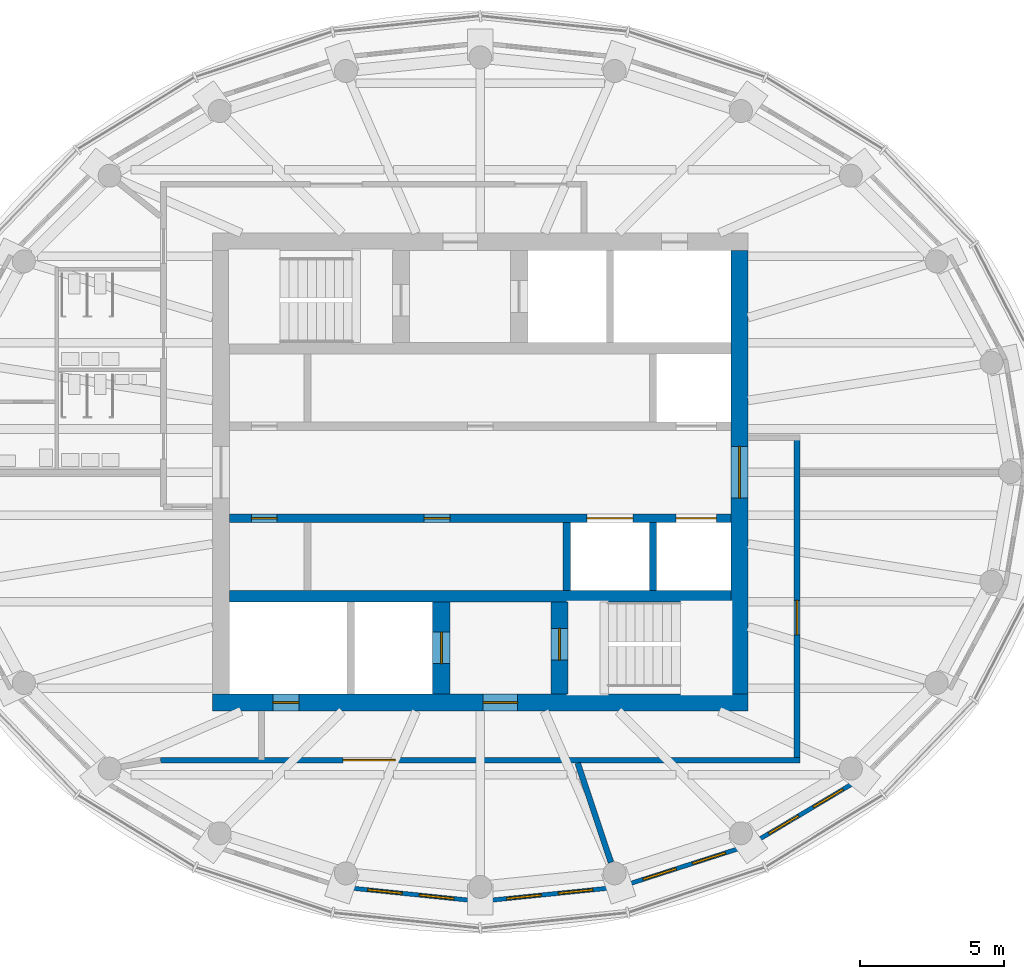
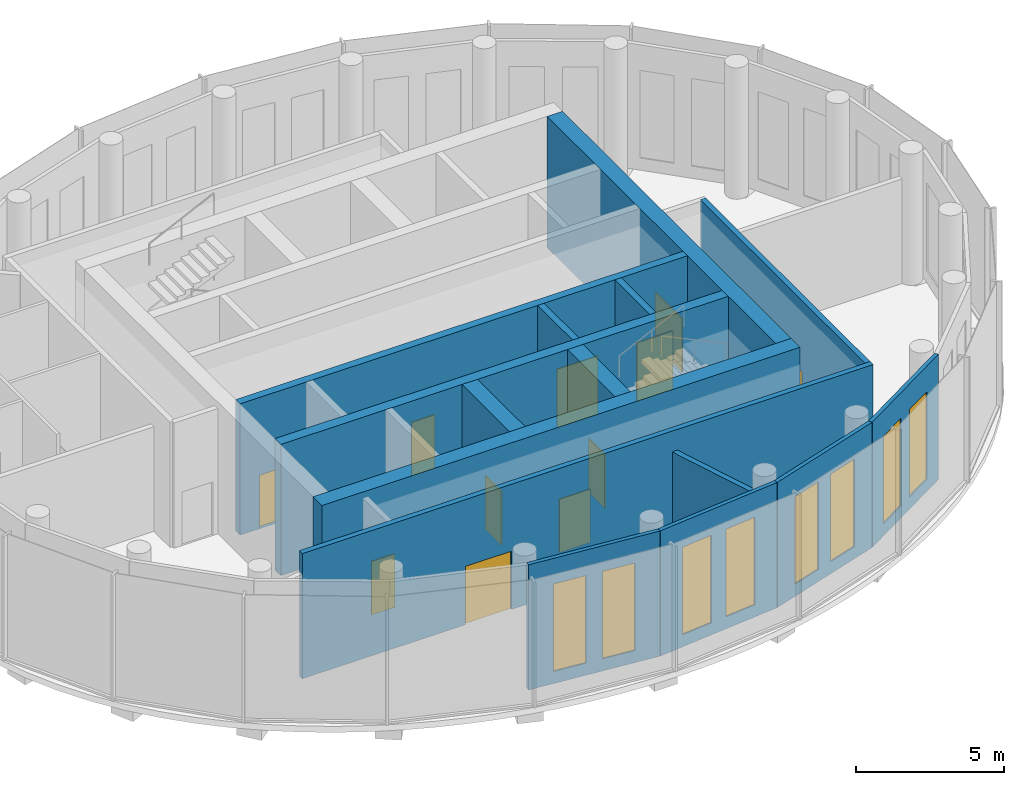
# One storey, part 5 of 11: 15 walls, 11 doors, 8 windows, 19 openings.
"""IFC4 building model written with IfcOpenShell, lengths in metres."""

from ifc_helpers import new_model, si_unit, direction, frame, frame_2d, origin, place, context, subcontext, project, spatial, rectangle, extrude, material, layer, layer_set, type_object, element, fill, save


model = new_model("IFC4")

# Units and contexts
model_context = context("Model", 3, precision=1e-05, world=origin(), true_north=direction((0.0, 1.0)))
body_context = subcontext(model_context, "Body", "Model", "MODEL_VIEW")
ifc_project = project(units=[si_unit("LENGTHUNIT", "METRE"), si_unit("AREAUNIT", "SQUARE_METRE"), si_unit("VOLUMEUNIT", "CUBIC_METRE"), si_unit("PLANEANGLEUNIT", "RADIAN"), si_unit("MASSUNIT", "GRAM", prefix="KILO")], contexts=[model_context])

# Site, building, storey
site_placement = place(None, origin())
site = spatial("IfcSite", under=ifc_project, at=site_placement, CompositionType="ELEMENT")
building_placement = place(site_placement, origin())
building = spatial("IfcBuilding", under=site, at=building_placement, Name="Hankou Lantern Tower", CompositionType="ELEMENT")
storey_placement = place(building_placement, frame((0.0, 0.0, 237.300048828125)))
storey = spatial("IfcBuildingStorey", under=building, at=storey_placement, Name="L64", CompositionType="ELEMENT", Elevation=237.300048828125)

# Wall, openings, doors
ifc_material_1 = material(Name="Concrete C60", Category="concrete")
ifc_layer_1 = layer(ifc_material_1, 0.60009765625)
ifc_layer_set_1 = layer_set([ifc_layer_1], Name="Concrete C60")
wall_type_1 = type_object("IfcWallType", Name="CW3 CORE WALL 600", PredefinedType="SHEAR", material=ifc_layer_set_1)
wall_1_placement = place(storey_placement, frame((9.300048828125, -8.0, 0.0), z_axis=(0.0, 0.0, 1.0), x_axis=(-1.0, 0.0, 0.0)))
wall_1 = element("IfcWall", 1, at=wall_1_placement, inside=storey, type_object=wall_type_1, Name="Core wall south L64", PredefinedType="SHEAR", context=body_context, shape_type="SweptSolid", body=[
    extrude(rectangle(XDim=18.60009765625, YDim=0.60009765625, at=frame_2d((9.300048828125, 0.0))), origin(), (0.0, 0.0, 1.0), 5.39990234375),
])
opening_1_placement = place(wall_1_placement, frame((8.0, 0.0, 0.0)))
opening_1 = element("IfcOpeningElement", 2, at=opening_1_placement, cuts=wall_1, Name="Opening D5", PredefinedType="OPENING", context=body_context, shape_type="SweptSolid", body=[
    extrude(rectangle(XDim=1.199951171875, YDim=2.199951171875, at=frame_2d((0.60009765625, 1.10009765625))), frame((0.0, 0.31005859375, 0.0), z_axis=(0.0, -1.0, 0.0), x_axis=(1.0, 0.0, 0.0)), (0.0, 0.0, 1.0), 0.6201171875),
])
opening_2_placement = place(wall_1_placement, frame((15.60009765625, 0.0, 0.0)))
opening_2 = element("IfcOpeningElement", 3, at=opening_2_placement, cuts=wall_1, Name="Opening D7", PredefinedType="OPENING", context=body_context, shape_type="SweptSolid", body=[
    extrude(rectangle(XDim=0.89990234375, YDim=2.199951171875, at=frame_2d((0.449951171875, 1.10009765625))), frame((0.0, 0.31005859375, 0.0), z_axis=(0.0, -1.0, 0.0), x_axis=(1.0, 0.0, 0.0)), (0.0, 0.0, 1.0), 0.6201171875),
])
ifc_material_2 = material(Name="Steel door leaf", Category="steel")
door_type_1 = type_object("IfcDoorType", Name="D5 STAIR LOBBY DOOR 1200X2200", OperationType="SINGLE_SWING_LEFT", PredefinedType="DOOR", material=ifc_material_2)
door_1_placement = place(opening_1_placement, origin())
door_1 = element("IfcDoor", 4, at=door_1_placement, inside=storey, type_object=door_type_1, Name="Stair B lobby door", OperationType="SINGLE_SWING_RIGHT", OverallHeight=2.199951171875, OverallWidth=1.199951171875, PredefinedType="DOOR", context=body_context, shape_type="SweptSolid", body=[
    extrude(rectangle(XDim=1.199951171875, YDim=2.199951171875, at=frame_2d((0.60009765625, 1.10009765625))), frame((0.0, 0.02490234375, 0.0), z_axis=(0.0, -1.0, 0.0), x_axis=(1.0, 0.0, 0.0)), (0.0, 0.0, 1.0), 0.050048828125),
])
fill(opening_1, door_1)
ifc_material_3 = material(Name="Steel door leaf", Category="steel")
door_type_2 = type_object("IfcDoorType", Name="D7 RISER DOOR 900X2200", OperationType="SINGLE_SWING_LEFT", PredefinedType="DOOR", material=ifc_material_3)
door_2_placement = place(opening_2_placement, origin())
door_2 = element("IfcDoor", 5, at=door_2_placement, inside=storey, type_object=door_type_2, Name="Riser S1 door", OperationType="SINGLE_SWING_RIGHT", OverallHeight=2.199951171875, OverallWidth=0.89990234375, PredefinedType="DOOR", context=body_context, shape_type="SweptSolid", body=[
    extrude(rectangle(XDim=0.89990234375, YDim=2.199951171875, at=frame_2d((0.449951171875, 1.10009765625))), frame((0.0, 0.02490234375, 0.0), z_axis=(0.0, -1.0, 0.0), x_axis=(1.0, 0.0, 0.0)), (0.0, 0.0, 1.0), 0.050048828125),
])
fill(opening_2, door_2)

# Wall, opening, door
wall_2_placement = place(storey_placement, frame((9.0, -7.699951171875, 0.0), z_axis=(0.0, 0.0, 1.0), x_axis=(0.0, 1.0, 0.0)))
wall_2 = element("IfcWall", 6, at=wall_2_placement, inside=storey, type_object=wall_type_1, Name="Core wall east L64", PredefinedType="SHEAR", context=body_context, shape_type="SweptSolid", body=[
    extrude(rectangle(XDim=15.39990234375, YDim=0.60009765625, at=frame_2d((7.699951171875, 0.0))), origin(), (0.0, 0.0, 1.0), 5.39990234375),
])
opening_3_placement = place(wall_2_placement, frame((6.800048828125, 0.0, 0.0)))
opening_3 = element("IfcOpeningElement", 7, at=opening_3_placement, cuts=wall_2, Name="Opening D6", PredefinedType="OPENING", context=body_context, shape_type="SweptSolid", body=[
    extrude(rectangle(XDim=1.800048828125, YDim=2.199951171875, at=frame_2d((0.89990234375, 1.10009765625))), frame((0.0, 0.31005859375, 0.0), z_axis=(0.0, -1.0, 0.0), x_axis=(1.0, 0.0, 0.0)), (0.0, 0.0, 1.0), 0.6201171875),
])
ifc_material_4 = material(Name="Steel door leaf", Category="steel")
door_type_3 = type_object("IfcDoorType", Name="D6 LIFT LOBBY DOOR 1800X2200", OperationType="DOUBLE_DOOR_DOUBLE_SWING", PredefinedType="DOOR", material=ifc_material_4)
door_3_placement = place(opening_3_placement, origin())
door_3 = element("IfcDoor", 8, at=door_3_placement, inside=storey, type_object=door_type_3, Name="Lift lobby east door", OperationType="DOUBLE_DOOR_DOUBLE_SWING", OverallHeight=2.199951171875, OverallWidth=1.800048828125, PredefinedType="DOOR", context=body_context, shape_type="SweptSolid", body=[
    extrude(rectangle(XDim=1.800048828125, YDim=2.199951171875, at=frame_2d((0.89990234375, 1.10009765625))), frame((0.0, 0.02490234375, 0.0), z_axis=(0.0, -1.0, 0.0), x_axis=(1.0, 0.0, 0.0)), (0.0, 0.0, 1.0), 0.050048828125),
])
fill(opening_3, door_3)

# Wall
ifc_material_5 = material(Name="Concrete C60", Category="concrete")
ifc_layer_2 = layer(ifc_material_5, 0.39990234375)
ifc_layer_set_2 = layer_set([ifc_layer_2], Name="Concrete C60")
wall_type_2 = type_object("IfcWallType", Name="CW4 CORE CROSS WALL 400", PredefinedType="SHEAR", material=ifc_layer_set_2)
wall_3_placement = place(storey_placement, frame((-8.699951171875, -4.300048828125, 0.0), z_axis=(0.0, 0.0, 1.0), x_axis=(1.0, 0.0, 0.0)))
element("IfcWall", 9, at=wall_3_placement, inside=storey, type_object=wall_type_2, Name="Core band wall south L64", PredefinedType="SHEAR", context=body_context, shape_type="SweptSolid", body=[
    extrude(rectangle(XDim=17.39990234375, YDim=0.39990234375, at=frame_2d((8.699951171875, 0.0))), origin(), (0.0, 0.0, 1.0), 5.39990234375),
])

# Wall, openings, doors
ifc_material_6 = material(Name="Concrete C60", Category="concrete")
ifc_layer_3 = layer(ifc_material_6, 0.300048828125)
ifc_layer_set_3 = layer_set([ifc_layer_3], Name="Concrete C60")
wall_type_3 = type_object("IfcWallType", Name="CW5 LIFT LOBBY WALL 300", PredefinedType="SHEAR", material=ifc_layer_set_3)
wall_4_placement = place(storey_placement, frame((-8.699951171875, -1.60009765625, 0.0), z_axis=(0.0, 0.0, 1.0), x_axis=(1.0, 0.0, 0.0)))
wall_4 = element("IfcWall", 10, at=wall_4_placement, inside=storey, type_object=wall_type_3, Name="Lift lobby wall south L64", PredefinedType="SHEAR", context=body_context, shape_type="SweptSolid", body=[
    extrude(rectangle(XDim=17.39990234375, YDim=0.300048828125, at=frame_2d((8.699951171875, 0.0))), origin(), (0.0, 0.0, 1.0), 5.39990234375),
])
opening_4_placement = place(wall_4_placement, frame((12.39990234375, 0.0, 0.0)))
opening_4 = element("IfcOpeningElement", 11, at=opening_4_placement, cuts=wall_4, Name="Opening LD4", PredefinedType="OPENING", context=body_context, shape_type="SweptSolid", body=[
    extrude(rectangle(XDim=1.60009765625, YDim=2.39990234375, at=frame_2d((0.800048828125, 1.199951171875))), frame((0.0, 0.159912109375, 0.0), z_axis=(0.0, -1.0, 0.0), x_axis=(1.0, 0.0, 0.0)), (0.0, 0.0, 1.0), 0.320068359375),
])
opening_5_placement = place(wall_4_placement, frame((15.5, 0.0, 0.0)))
opening_5 = element("IfcOpeningElement", 12, at=opening_5_placement, cuts=wall_4, Name="Opening LD3", PredefinedType="OPENING", context=body_context, shape_type="SweptSolid", body=[
    extrude(rectangle(XDim=1.39990234375, YDim=2.39990234375, at=frame_2d((0.699951171875, 1.199951171875))), frame((0.0, 0.159912109375, 0.0), z_axis=(0.0, -1.0, 0.0), x_axis=(1.0, 0.0, 0.0)), (0.0, 0.0, 1.0), 0.320068359375),
])
opening_6_placement = place(wall_4_placement, frame((0.75, 0.0, 0.0)))
opening_6 = element("IfcOpeningElement", 13, at=opening_6_placement, cuts=wall_4, Name="Opening D30", PredefinedType="OPENING", context=body_context, shape_type="SweptSolid", body=[
    extrude(rectangle(XDim=0.89990234375, YDim=2.199951171875, at=frame_2d((0.449951171875, 1.10009765625))), frame((0.0, 0.159912109375, 0.0), z_axis=(0.0, -1.0, 0.0), x_axis=(1.0, 0.0, 0.0)), (0.0, 0.0, 1.0), 0.320068359375),
])
opening_7_placement = place(wall_4_placement, frame((6.75, 0.0, 0.0)))
opening_7 = element("IfcOpeningElement", 14, at=opening_7_placement, cuts=wall_4, Name="Opening D30", PredefinedType="OPENING", context=body_context, shape_type="SweptSolid", body=[
    extrude(rectangle(XDim=0.89990234375, YDim=2.199951171875, at=frame_2d((0.449951171875, 1.10009765625))), frame((0.0, 0.159912109375, 0.0), z_axis=(0.0, -1.0, 0.0), x_axis=(1.0, 0.0, 0.0)), (0.0, 0.0, 1.0), 0.320068359375),
])
ifc_material_7 = material(Name="Steel door leaf", Category="steel")
door_type_4 = type_object("IfcDoorType", Name="D30 CORE ROOM DOOR 900X2200", OperationType="SINGLE_SWING_LEFT", PredefinedType="DOOR", material=ifc_material_7)
door_4_placement = place(opening_6_placement, origin())
door_4 = element("IfcDoor", 15, at=door_4_placement, inside=storey, type_object=door_type_4, Name="IT and telecoms room door", OperationType="SINGLE_SWING_LEFT", OverallHeight=2.199951171875, OverallWidth=0.89990234375, PredefinedType="DOOR", context=body_context, shape_type="SweptSolid", body=[
    extrude(rectangle(XDim=0.89990234375, YDim=2.199951171875, at=frame_2d((0.449951171875, 1.10009765625))), frame((0.0, 0.02490234375, 0.0), z_axis=(0.0, -1.0, 0.0), x_axis=(1.0, 0.0, 0.0)), (0.0, 0.0, 1.0), 0.050048828125),
])
fill(opening_6, door_4)
door_5_placement = place(opening_7_placement, origin())
door_5 = element("IfcDoor", 16, at=door_5_placement, inside=storey, type_object=door_type_4, Name="Cold store door", OperationType="SINGLE_SWING_LEFT", OverallHeight=2.199951171875, OverallWidth=0.89990234375, PredefinedType="DOOR", context=body_context, shape_type="SweptSolid", body=[
    extrude(rectangle(XDim=0.89990234375, YDim=2.199951171875, at=frame_2d((0.449951171875, 1.10009765625))), frame((0.0, 0.02490234375, 0.0), z_axis=(0.0, -1.0, 0.0), x_axis=(1.0, 0.0, 0.0)), (0.0, 0.0, 1.0), 0.050048828125),
])
fill(opening_7, door_5)
ifc_material_8 = material(Name="Steel door leaf", Category="steel")
door_type_5 = type_object("IfcDoorType", Name="LD3 OBSERVATION LIFT LANDING DOOR 1400X2400", OperationType="DOUBLE_DOOR_SLIDING", PredefinedType="DOOR", material=ifc_material_8)
door_6_placement = place(opening_5_placement, origin())
door_6 = element("IfcDoor", 17, at=door_6_placement, inside=storey, type_object=door_type_5, Name="Lift OB2 landing door", OperationType="DOUBLE_DOOR_SLIDING", OverallHeight=2.39990234375, OverallWidth=1.39990234375, PredefinedType="DOOR", context=body_context, shape_type="SweptSolid", body=[
    extrude(rectangle(XDim=1.39990234375, YDim=2.39990234375, at=frame_2d((0.699951171875, 1.199951171875))), frame((0.0, 0.02490234375, 0.0), z_axis=(0.0, -1.0, 0.0), x_axis=(1.0, 0.0, 0.0)), (0.0, 0.0, 1.0), 0.050048828125),
])
fill(opening_5, door_6)
ifc_material_9 = material(Name="Steel door leaf", Category="steel")
door_type_6 = type_object("IfcDoorType", Name="LD4 SERVICE LIFT LANDING DOOR 1600X2400", OperationType="DOUBLE_DOOR_SLIDING", PredefinedType="DOOR", material=ifc_material_9)
door_7_placement = place(opening_4_placement, origin())
door_7 = element("IfcDoor", 18, at=door_7_placement, inside=storey, type_object=door_type_6, Name="Lift SV1 landing door", OperationType="DOUBLE_DOOR_SLIDING", OverallHeight=2.39990234375, OverallWidth=1.60009765625, PredefinedType="DOOR", context=body_context, shape_type="SweptSolid", body=[
    extrude(rectangle(XDim=1.60009765625, YDim=2.39990234375, at=frame_2d((0.800048828125, 1.199951171875))), frame((0.0, 0.02490234375, 0.0), z_axis=(0.0, -1.0, 0.0), x_axis=(1.0, 0.0, 0.0)), (0.0, 0.0, 1.0), 0.050048828125),
])
fill(opening_4, door_7)

# Wall, opening, door
ifc_material_10 = material(Name="Concrete C60", Category="concrete")
ifc_layer_4 = layer(ifc_material_10, 0.60009765625)
ifc_layer_set_4 = layer_set([ifc_layer_4], Name="Concrete C60")
wall_type_4 = type_object("IfcWallType", Name="CW6 STAIR AND SHAFT WALL 600", PredefinedType="SHEAR", material=ifc_layer_set_4)
wall_5_placement = place(storey_placement, frame((2.75, -7.699951171875, 0.0), z_axis=(0.0, 0.0, 1.0), x_axis=(0.0, 1.0, 0.0)))
wall_5 = element("IfcWall", 19, at=wall_5_placement, inside=storey, type_object=wall_type_4, Name="Stair wall L64", PredefinedType="SHEAR", context=body_context, shape_type="SweptSolid", body=[
    extrude(rectangle(XDim=3.199951171875, YDim=0.60009765625, at=frame_2d((1.60009765625, 0.0))), origin(), (0.0, 0.0, 1.0), 5.39990234375),
])
opening_8_placement = place(wall_5_placement, frame((1.175048828125, 0.0, 0.0)))
opening_8 = element("IfcOpeningElement", 20, at=opening_8_placement, cuts=wall_5, Name="Opening D4", PredefinedType="OPENING", context=body_context, shape_type="SweptSolid", body=[
    extrude(rectangle(XDim=1.10009765625, YDim=2.199951171875, at=frame_2d((0.550048828125, 1.10009765625))), frame((0.0, 0.31005859375, 0.0), z_axis=(0.0, -1.0, 0.0), x_axis=(1.0, 0.0, 0.0)), (0.0, 0.0, 1.0), 0.6201171875),
])
ifc_material_11 = material(Name="Steel door leaf", Category="steel")
door_type_7 = type_object("IfcDoorType", Name="D4 STAIR DOOR 1100X2200", OperationType="SINGLE_SWING_LEFT", PredefinedType="DOOR", material=ifc_material_11)
door_8_placement = place(opening_8_placement, origin())
door_8 = element("IfcDoor", 21, at=door_8_placement, inside=storey, type_object=door_type_7, Name="Stair B door", OperationType="SINGLE_SWING_RIGHT", OverallHeight=2.199951171875, OverallWidth=1.10009765625, PredefinedType="DOOR", context=body_context, shape_type="SweptSolid", body=[
    extrude(rectangle(XDim=1.10009765625, YDim=2.199951171875, at=frame_2d((0.550048828125, 1.10009765625))), frame((0.0, 0.02490234375, 0.0), z_axis=(0.0, -1.0, 0.0), x_axis=(1.0, 0.0, 0.0)), (0.0, 0.0, 1.0), 0.050048828125),
])
fill(opening_8, door_8)

wall_6_placement = place(storey_placement, frame((-1.35009765625, -7.699951171875, 0.0), z_axis=(0.0, 0.0, 1.0), x_axis=(0.0, 1.0, 0.0)))
wall_6 = element("IfcWall", 22, at=wall_6_placement, inside=storey, type_object=wall_type_4, Name="Firefighting lift shaft wall L64", PredefinedType="SHEAR", context=body_context, shape_type="SweptSolid", body=[
    extrude(rectangle(XDim=3.199951171875, YDim=0.60009765625, at=frame_2d((1.60009765625, 0.0))), origin(), (0.0, 0.0, 1.0), 5.39990234375),
])
opening_9_placement = place(wall_6_placement, frame((1.050048828125, 0.0, 0.0)))
opening_9 = element("IfcOpeningElement", 23, at=opening_9_placement, cuts=wall_6, Name="Opening LD2", PredefinedType="OPENING", context=body_context, shape_type="SweptSolid", body=[
    extrude(rectangle(XDim=1.10009765625, YDim=2.199951171875, at=frame_2d((0.550048828125, 1.10009765625))), frame((0.0, 0.31005859375, 0.0), z_axis=(0.0, -1.0, 0.0), x_axis=(1.0, 0.0, 0.0)), (0.0, 0.0, 1.0), 0.6201171875),
])
ifc_material_12 = material(Name="Steel door leaf", Category="steel")
door_type_8 = type_object("IfcDoorType", Name="LD2 FIREFIGHTING LIFT LANDING DOOR 1100X2200", OperationType="DOUBLE_DOOR_SLIDING", PredefinedType="DOOR", material=ifc_material_12)
door_9_placement = place(opening_9_placement, origin())
door_9 = element("IfcDoor", 24, at=door_9_placement, inside=storey, type_object=door_type_8, Name="Firefighting lift FL2 landing door", OperationType="DOUBLE_DOOR_SLIDING", OverallHeight=2.199951171875, OverallWidth=1.10009765625, PredefinedType="DOOR", context=body_context, shape_type="SweptSolid", body=[
    extrude(rectangle(XDim=1.10009765625, YDim=2.199951171875, at=frame_2d((0.550048828125, 1.10009765625))), frame((0.0, 0.02490234375, 0.0), z_axis=(0.0, -1.0, 0.0), x_axis=(1.0, 0.0, 0.0)), (0.0, 0.0, 1.0), 0.050048828125),
])
fill(opening_9, door_9)

# Wall, openings, windows
ifc_material_13 = material(Name="Aluminium spandrel panel on steel studs", Category="steel")
ifc_layer_5 = layer(ifc_material_13, 0.14990234375)
ifc_layer_set_5 = layer_set([ifc_layer_5], Name="Aluminium spandrel panel on steel studs")
wall_type_5 = type_object("IfcWallType", Name="EW1 INNER SKIN WALL 150", PredefinedType="ELEMENTEDWALL", material=ifc_layer_set_5)
wall_7_placement = place(storey_placement, frame((-4.8251953125, -14.40625, 0.0), z_axis=(0.0, 0.0, 1.0), x_axis=(0.994807343212, -0.10177597895, 0.0)))
wall_7 = element("IfcWall", 25, at=wall_7_placement, inside=storey, type_object=wall_type_5, Name="Inner skin R18-R19 L64", PredefinedType="ELEMENTEDWALL", context=body_context, shape_type="SweptSolid", body=[
    extrude(rectangle(XDim=4.850341796875, YDim=0.14990234375, at=frame_2d((2.42529296875, 0.0))), origin(), (0.0, 0.0, 1.0), 5.14990234375),
])
opening_10_placement = place(wall_7_placement, frame((0.92529296875, 0.0, 0.5)))
opening_10 = element("IfcOpeningElement", 26, at=opening_10_placement, cuts=wall_7, Name="Opening W7", PredefinedType="OPENING", context=body_context, shape_type="SweptSolid", body=[
    extrude(rectangle(XDim=1.199951171875, YDim=3.60009765625, at=frame_2d((0.60009765625, 1.800048828125))), frame((0.0, 0.0849609375, 0.0), z_axis=(0.0, -1.0, 0.0), x_axis=(1.0, 0.0, 0.0)), (0.0, 0.0, 1.0), 0.169921875),
])
opening_11_placement = place(wall_7_placement, frame((2.72509765625, 0.0, 0.5)))
opening_11 = element("IfcOpeningElement", 27, at=opening_11_placement, cuts=wall_7, Name="Opening W7", PredefinedType="OPENING", context=body_context, shape_type="SweptSolid", body=[
    extrude(rectangle(XDim=1.199951171875, YDim=3.60009765625, at=frame_2d((0.60009765625, 1.800048828125))), frame((0.0, 0.0849609375, 0.0), z_axis=(0.0, -1.0, 0.0), x_axis=(1.0, 0.0, 0.0)), (0.0, 0.0, 1.0), 0.169921875),
])
ifc_material_14 = material(Name="Aluminium framed double glazed window", Category="aluminium")
window_type = type_object("IfcWindowType", Name="W7 RESTAURANT WINDOW 1200X3600", PartitioningType="DOUBLE_PANEL_VERTICAL", PredefinedType="WINDOW", material=ifc_material_14)
window_1_placement = place(opening_10_placement, origin())
window_1 = element("IfcWindow", 28, at=window_1_placement, inside=storey, type_object=window_type, Name="Window R18.1 L64", OverallHeight=3.60009765625, OverallWidth=1.199951171875, PartitioningType="SINGLE_PANEL", PredefinedType="WINDOW", context=body_context, shape_type="SweptSolid", body=[
    extrude(rectangle(XDim=1.199951171875, YDim=3.60009765625, at=frame_2d((0.60009765625, 1.800048828125))), frame((0.0, 0.030029296875, 0.0), z_axis=(0.0, -1.0, 0.0), x_axis=(1.0, 0.0, 0.0)), (0.0, 0.0, 1.0), 0.06005859375),
])
fill(opening_10, window_1)
window_2_placement = place(opening_11_placement, origin())
window_2 = element("IfcWindow", 29, at=window_2_placement, inside=storey, type_object=window_type, Name="Window R18.2 L64", OverallHeight=3.60009765625, OverallWidth=1.199951171875, PartitioningType="SINGLE_PANEL", PredefinedType="WINDOW", context=body_context, shape_type="SweptSolid", body=[
    extrude(rectangle(XDim=1.199951171875, YDim=3.60009765625, at=frame_2d((0.60009765625, 1.800048828125))), frame((0.0, 0.030029296875, 0.0), z_axis=(0.0, -1.0, 0.0), x_axis=(1.0, 0.0, 0.0)), (0.0, 0.0, 1.0), 0.06005859375),
])
fill(opening_11, window_2)

wall_8_placement = place(storey_placement, frame((0.0, -14.89990234375, 0.0), z_axis=(0.0, 0.0, 1.0), x_axis=(0.994807343212, 0.10177597895, 0.0)))
wall_8 = element("IfcWall", 30, at=wall_8_placement, inside=storey, type_object=wall_type_5, Name="Inner skin R19-R20 L64", PredefinedType="ELEMENTEDWALL", context=body_context, shape_type="SweptSolid", body=[
    extrude(rectangle(XDim=4.850341796875, YDim=0.14990234375, at=frame_2d((2.42529296875, 0.0))), origin(), (0.0, 0.0, 1.0), 5.14990234375),
])
opening_12_placement = place(wall_8_placement, frame((0.92529296875, 0.0, 0.5)))
opening_12 = element("IfcOpeningElement", 31, at=opening_12_placement, cuts=wall_8, Name="Opening W7", PredefinedType="OPENING", context=body_context, shape_type="SweptSolid", body=[
    extrude(rectangle(XDim=1.199951171875, YDim=3.60009765625, at=frame_2d((0.60009765625, 1.800048828125))), frame((0.0, 0.0849609375, 0.0), z_axis=(0.0, -1.0, 0.0), x_axis=(1.0, 0.0, 0.0)), (0.0, 0.0, 1.0), 0.169921875),
])
opening_13_placement = place(wall_8_placement, frame((2.72509765625, 0.0, 0.5)))
opening_13 = element("IfcOpeningElement", 32, at=opening_13_placement, cuts=wall_8, Name="Opening W7", PredefinedType="OPENING", context=body_context, shape_type="SweptSolid", body=[
    extrude(rectangle(XDim=1.199951171875, YDim=3.60009765625, at=frame_2d((0.60009765625, 1.800048828125))), frame((0.0, 0.0849609375, 0.0), z_axis=(0.0, -1.0, 0.0), x_axis=(1.0, 0.0, 0.0)), (0.0, 0.0, 1.0), 0.169921875),
])
window_3_placement = place(opening_12_placement, origin())
window_3 = element("IfcWindow", 33, at=window_3_placement, inside=storey, type_object=window_type, Name="Window R19.1 L64", OverallHeight=3.60009765625, OverallWidth=1.199951171875, PartitioningType="SINGLE_PANEL", PredefinedType="WINDOW", context=body_context, shape_type="SweptSolid", body=[
    extrude(rectangle(XDim=1.199951171875, YDim=3.60009765625, at=frame_2d((0.60009765625, 1.800048828125))), frame((0.0, 0.030029296875, 0.0), z_axis=(0.0, -1.0, 0.0), x_axis=(1.0, 0.0, 0.0)), (0.0, 0.0, 1.0), 0.06005859375),
])
fill(opening_12, window_3)
window_4_placement = place(opening_13_placement, origin())
window_4 = element("IfcWindow", 34, at=window_4_placement, inside=storey, type_object=window_type, Name="Window R19.2 L64", OverallHeight=3.60009765625, OverallWidth=1.199951171875, PartitioningType="SINGLE_PANEL", PredefinedType="WINDOW", context=body_context, shape_type="SweptSolid", body=[
    extrude(rectangle(XDim=1.199951171875, YDim=3.60009765625, at=frame_2d((0.60009765625, 1.800048828125))), frame((0.0, 0.030029296875, 0.0), z_axis=(0.0, -1.0, 0.0), x_axis=(1.0, 0.0, 0.0)), (0.0, 0.0, 1.0), 0.06005859375),
])
fill(opening_13, window_4)

wall_9_placement = place(storey_placement, frame((4.8251953125, -14.40625, 0.0), z_axis=(0.0, 0.0, 1.0), x_axis=(0.951881908824, 0.306465057804, 0.0)))
wall_9 = element("IfcWall", 35, at=wall_9_placement, inside=storey, type_object=wall_type_5, Name="Inner skin R20-R21 L64", PredefinedType="ELEMENTEDWALL", context=body_context, shape_type="SweptSolid", body=[
    extrude(rectangle(XDim=4.74951171875, YDim=0.14990234375, at=frame_2d((2.374755859375, 0.0))), origin(), (0.0, 0.0, 1.0), 5.14990234375),
])
opening_14_placement = place(wall_9_placement, frame((0.874755859375, 0.0, 0.5)))
opening_14 = element("IfcOpeningElement", 36, at=opening_14_placement, cuts=wall_9, Name="Opening W7", PredefinedType="OPENING", context=body_context, shape_type="SweptSolid", body=[
    extrude(rectangle(XDim=1.199951171875, YDim=3.60009765625, at=frame_2d((0.60009765625, 1.800048828125))), frame((0.0, 0.0849609375, 0.0), z_axis=(0.0, -1.0, 0.0), x_axis=(1.0, 0.0, 0.0)), (0.0, 0.0, 1.0), 0.169921875),
])
opening_15_placement = place(wall_9_placement, frame((2.6748046875, 0.0, 0.5)))
opening_15 = element("IfcOpeningElement", 37, at=opening_15_placement, cuts=wall_9, Name="Opening W7", PredefinedType="OPENING", context=body_context, shape_type="SweptSolid", body=[
    extrude(rectangle(XDim=1.199951171875, YDim=3.60009765625, at=frame_2d((0.60009765625, 1.800048828125))), frame((0.0, 0.0849609375, 0.0), z_axis=(0.0, -1.0, 0.0), x_axis=(1.0, 0.0, 0.0)), (0.0, 0.0, 1.0), 0.169921875),
])
window_5_placement = place(opening_14_placement, origin())
window_5 = element("IfcWindow", 38, at=window_5_placement, inside=storey, type_object=window_type, Name="Window R20.1 L64", OverallHeight=3.60009765625, OverallWidth=1.199951171875, PartitioningType="SINGLE_PANEL", PredefinedType="WINDOW", context=body_context, shape_type="SweptSolid", body=[
    extrude(rectangle(XDim=1.199951171875, YDim=3.60009765625, at=frame_2d((0.60009765625, 1.800048828125))), frame((0.0, 0.030029296875, 0.0), z_axis=(0.0, -1.0, 0.0), x_axis=(1.0, 0.0, 0.0)), (0.0, 0.0, 1.0), 0.06005859375),
])
fill(opening_14, window_5)
window_6_placement = place(opening_15_placement, origin())
window_6 = element("IfcWindow", 39, at=window_6_placement, inside=storey, type_object=window_type, Name="Window R20.2 L64", OverallHeight=3.60009765625, OverallWidth=1.199951171875, PartitioningType="SINGLE_PANEL", PredefinedType="WINDOW", context=body_context, shape_type="SweptSolid", body=[
    extrude(rectangle(XDim=1.199951171875, YDim=3.60009765625, at=frame_2d((0.60009765625, 1.800048828125))), frame((0.0, 0.030029296875, 0.0), z_axis=(0.0, -1.0, 0.0), x_axis=(1.0, 0.0, 0.0)), (0.0, 0.0, 1.0), 0.06005859375),
])
fill(opening_15, window_6)

wall_10_placement = place(storey_placement, frame((9.34619140625, -12.95068359375, 0.0), z_axis=(0.0, 0.0, 1.0), x_axis=(0.858849230109, 0.512228464594, 0.0)))
wall_10 = element("IfcWall", 40, at=wall_10_placement, inside=storey, type_object=wall_type_5, Name="Inner skin R21-R22 L64", PredefinedType="ELEMENTEDWALL", context=body_context, shape_type="SweptSolid", body=[
    extrude(rectangle(XDim=4.564208984375, YDim=0.14990234375, at=frame_2d((2.2822265625, 0.0))), origin(), (0.0, 0.0, 1.0), 5.14990234375),
])
opening_16_placement = place(wall_10_placement, frame((0.781982421875, 0.0, 0.5)))
opening_16 = element("IfcOpeningElement", 41, at=opening_16_placement, cuts=wall_10, Name="Opening W7", PredefinedType="OPENING", context=body_context, shape_type="SweptSolid", body=[
    extrude(rectangle(XDim=1.199951171875, YDim=3.60009765625, at=frame_2d((0.60009765625, 1.800048828125))), frame((0.0, 0.0849609375, 0.0), z_axis=(0.0, -1.0, 0.0), x_axis=(1.0, 0.0, 0.0)), (0.0, 0.0, 1.0), 0.169921875),
])
opening_17_placement = place(wall_10_placement, frame((2.58203125, 0.0, 0.5)))
opening_17 = element("IfcOpeningElement", 42, at=opening_17_placement, cuts=wall_10, Name="Opening W7", PredefinedType="OPENING", context=body_context, shape_type="SweptSolid", body=[
    extrude(rectangle(XDim=1.199951171875, YDim=3.60009765625, at=frame_2d((0.60009765625, 1.800048828125))), frame((0.0, 0.0849609375, 0.0), z_axis=(0.0, -1.0, 0.0), x_axis=(1.0, 0.0, 0.0)), (0.0, 0.0, 1.0), 0.169921875),
])
window_7_placement = place(opening_16_placement, origin())
window_7 = element("IfcWindow", 43, at=window_7_placement, inside=storey, type_object=window_type, Name="Window R21.1 L64", OverallHeight=3.60009765625, OverallWidth=1.199951171875, PartitioningType="SINGLE_PANEL", PredefinedType="WINDOW", context=body_context, shape_type="SweptSolid", body=[
    extrude(rectangle(XDim=1.199951171875, YDim=3.60009765625, at=frame_2d((0.60009765625, 1.800048828125))), frame((0.0, 0.030029296875, 0.0), z_axis=(0.0, -1.0, 0.0), x_axis=(1.0, 0.0, 0.0)), (0.0, 0.0, 1.0), 0.06005859375),
])
fill(opening_16, window_7)
window_8_placement = place(opening_17_placement, origin())
window_8 = element("IfcWindow", 44, at=window_8_placement, inside=storey, type_object=window_type, Name="Window R21.2 L64", OverallHeight=3.60009765625, OverallWidth=1.199951171875, PartitioningType="SINGLE_PANEL", PredefinedType="WINDOW", context=body_context, shape_type="SweptSolid", body=[
    extrude(rectangle(XDim=1.199951171875, YDim=3.60009765625, at=frame_2d((0.60009765625, 1.800048828125))), frame((0.0, 0.030029296875, 0.0), z_axis=(0.0, -1.0, 0.0), x_axis=(1.0, 0.0, 0.0)), (0.0, 0.0, 1.0), 0.06005859375),
])
fill(opening_17, window_8)

# Wall, opening, door
ifc_material_15 = material(Name="Masonry lightweight concrete block", Category="masonry")
ifc_layer_6 = layer(ifc_material_15, 0.199951171875)
ifc_layer_set_6 = layer_set([ifc_layer_6], Name="Masonry lightweight concrete block")
wall_type_6 = type_object("IfcWallType", Name="IW2 CORRIDOR WALL 200", PredefinedType="PARTITIONING", material=ifc_layer_set_6)
wall_11_placement = place(storey_placement, frame((11.0, -9.89990234375, 0.0), z_axis=(0.0, 0.0, 1.0), x_axis=(0.0, 1.0, 0.0)))
wall_11 = element("IfcWall", 45, at=wall_11_placement, inside=storey, type_object=wall_type_6, Name="Corridor wall east", PredefinedType="PARTITIONING", context=body_context, shape_type="SweptSolid", body=[
    extrude(rectangle(XDim=11.099853515625, YDim=0.199951171875, at=frame_2d((5.5498046875, 0.0))), origin(), (0.0, 0.0, 1.0), 5.14990234375),
])
opening_18_placement = place(wall_11_placement, frame((4.25, 0.0, 0.0)))
opening_18 = element("IfcOpeningElement", 46, at=opening_18_placement, cuts=wall_11, Name="Opening D24", PredefinedType="OPENING", context=body_context, shape_type="SweptSolid", body=[
    extrude(rectangle(XDim=1.199951171875, YDim=2.199951171875, at=frame_2d((0.60009765625, 1.10009765625))), frame((0.0, 0.10986328125, 0.0), z_axis=(0.0, -1.0, 0.0), x_axis=(1.0, 0.0, 0.0)), (0.0, 0.0, 1.0), 0.219970703125),
])
ifc_material_16 = material(Name="Timber door leaf", Category="wood")
door_type_9 = type_object("IfcDoorType", Name="D24 WIDE ROOM DOOR 1200X2200", OperationType="SINGLE_SWING_LEFT", PredefinedType="DOOR", material=ifc_material_16)
door_10_placement = place(opening_18_placement, origin())
door_10 = element("IfcDoor", 47, at=door_10_placement, inside=storey, type_object=door_type_9, Name="Private dining room door", OperationType="SINGLE_SWING_LEFT", OverallHeight=2.199951171875, OverallWidth=1.199951171875, PredefinedType="DOOR", context=body_context, shape_type="SweptSolid", body=[
    extrude(rectangle(XDim=1.199951171875, YDim=2.199951171875, at=frame_2d((0.60009765625, 1.10009765625))), frame((0.0, 0.02490234375, 0.0), z_axis=(0.0, -1.0, 0.0), x_axis=(1.0, 0.0, 0.0)), (0.0, 0.0, 1.0), 0.050048828125),
])
fill(opening_18, door_10)

wall_12_placement = place(storey_placement, frame((11.10009765625, -10.0, 0.0), z_axis=(0.0, 0.0, 1.0), x_axis=(-1.0, 0.0, 0.0)))
wall_12 = element("IfcWall", 48, at=wall_12_placement, inside=storey, type_object=wall_type_6, Name="Corridor wall south", PredefinedType="PARTITIONING", context=body_context, shape_type="SweptSolid", body=[
    extrude(rectangle(XDim=22.2001953125, YDim=0.199951171875, at=frame_2d((11.10009765625, 0.0))), origin(), (0.0, 0.0, 1.0), 5.14990234375),
])
opening_19_placement = place(wall_12_placement, frame((14.05859375, 0.0, 0.0)))
opening_19 = element("IfcOpeningElement", 49, at=opening_19_placement, cuts=wall_12, Name="Opening D8", PredefinedType="OPENING", context=body_context, shape_type="SweptSolid", body=[
    extrude(rectangle(XDim=1.800048828125, YDim=2.39990234375, at=frame_2d((0.89990234375, 1.199951171875))), frame((0.0, 0.10986328125, 0.0), z_axis=(0.0, -1.0, 0.0), x_axis=(1.0, 0.0, 0.0)), (0.0, 0.0, 1.0), 0.219970703125),
])
ifc_material_17 = material(Name="Steel door leaf", Category="steel")
door_type_10 = type_object("IfcDoorType", Name="D8 DOUBLE DOOR 1800X2400", OperationType="DOUBLE_DOOR_DOUBLE_SWING", PredefinedType="DOOR", material=ifc_material_17)
door_11_placement = place(opening_19_placement, origin())
door_11 = element("IfcDoor", 50, at=door_11_placement, inside=storey, type_object=door_type_10, Name="Sky kitchen door", OperationType="DOUBLE_DOOR_DOUBLE_SWING", OverallHeight=2.39990234375, OverallWidth=1.800048828125, PredefinedType="DOOR", context=body_context, shape_type="SweptSolid", body=[
    extrude(rectangle(XDim=1.800048828125, YDim=2.39990234375, at=frame_2d((0.89990234375, 1.199951171875))), frame((0.0, 0.02490234375, 0.0), z_axis=(0.0, -1.0, 0.0), x_axis=(1.0, 0.0, 0.0)), (0.0, 0.0, 1.0), 0.050048828125),
])
fill(opening_19, door_11)

# Walls
ifc_material_18 = material(Name="Masonry lightweight concrete block", Category="masonry")
ifc_layer_7 = layer(ifc_material_18, 0.199951171875)
ifc_layer_set_7 = layer_set([ifc_layer_7], Name="Masonry lightweight concrete block")
wall_type_7 = type_object("IfcWallType", Name="IW8 PARTITION 200", PredefinedType="PARTITIONING", material=ifc_layer_set_7)
wall_13_placement = place(storey_placement, frame((3.3828125, -10.10009765625, 0.0), z_axis=(0.0, 0.0, 1.0), x_axis=(0.317596328658, -0.948226013155, 0.0)))
element("IfcWall", 51, at=wall_13_placement, inside=storey, type_object=wall_type_7, Name="Partition R20", PredefinedType="PARTITIONING", context=body_context, shape_type="SweptSolid", body=[
    extrude(rectangle(XDim=3.638427734375, YDim=0.199951171875, at=frame_2d((1.8193359375, 0.0))), origin(), (0.0, 0.0, 1.0), 4.300048828125),
])
ifc_material_19 = material(Name="Masonry autoclaved aerated concrete block", Category="masonry")
ifc_layer_8 = layer(ifc_material_19, 0.25)
ifc_layer_set_8 = layer_set([ifc_layer_8], Name="Masonry autoclaved aerated concrete block")
wall_type_8 = type_object("IfcWallType", Name="SW1 SHAFT BLOCK WALL 250", PredefinedType="PARTITIONING", material=ifc_layer_set_8)
for number, where, z_axis, x_axis, name in (
    (52, (3.0, -4.10009765625, 0.0), (0.0, 0.0, 1.0), (0.0, 1.0, 0.0), "Lift shaft wall L64"),
    (53, (6.0, -4.10009765625, 0.0), (0.0, 0.0, 1.0), (0.0, 1.0, 0.0), "Lift shaft wall L64"),
):
    element("IfcWall", number, at=place(storey_placement, frame(where, z_axis=z_axis, x_axis=x_axis)), inside=storey, type_object=wall_type_8, Name=name, PredefinedType="PARTITIONING", context=body_context, shape_type="SweptSolid", body=[
        extrude(rectangle(XDim=2.35009765625, YDim=0.25, at=frame_2d((1.175048828125, 0.0))), origin(), (0.0, 0.0, 1.0), 5.39990234375),
    ])

save(model, "model.ifc")
